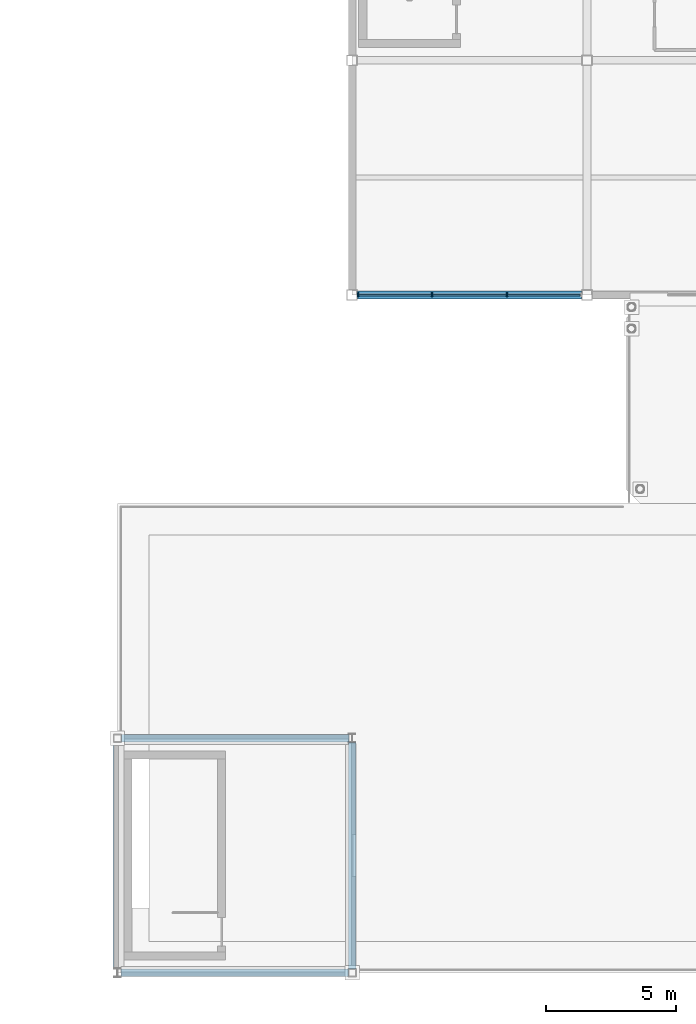
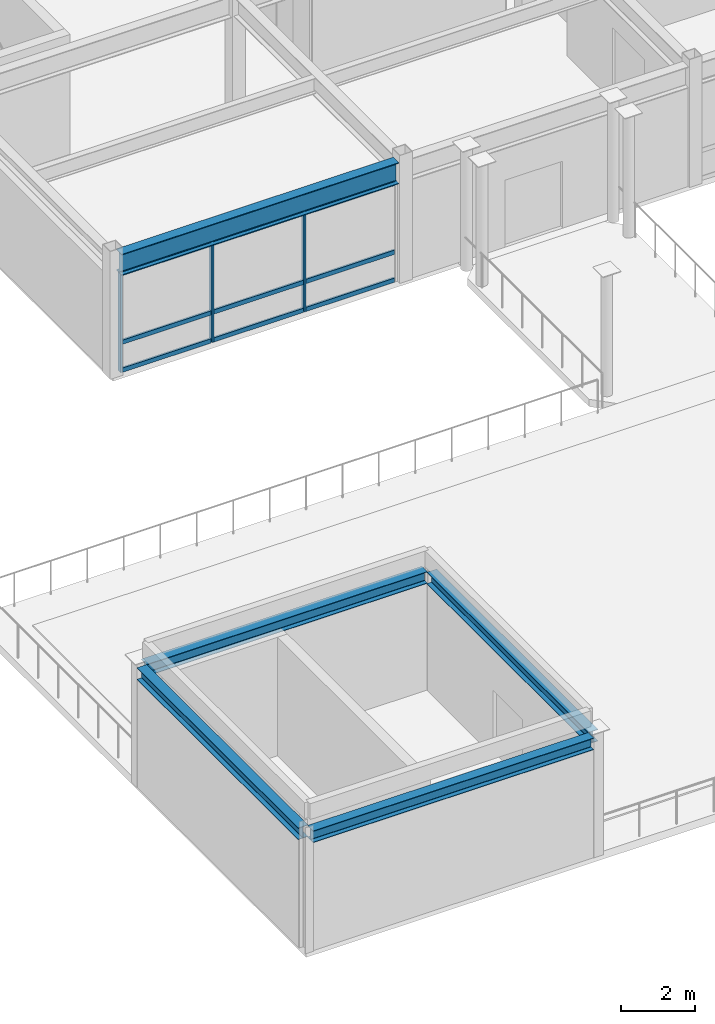
# One storey, part 28 of 53: 12 members, 5 beams, 1 element without a shape of its own.
"""IFC4 building model written with IfcOpenShell, lengths in metres."""

import ifcopenshell
import ifcopenshell.guid

model = None  # the IFC model being written
_history = None  # IfcOwnerHistory: only IFC2X3 demands one
_inside = {}  # id of a spatial element -> (the spatial element, [elements in it])
_under = {}  # id of a project, library or spatial element -> (it, [spatial elements below it])
_declared = {}  # id of a project -> (the project, [libraries it declares])
_typed = {}  # id of a type object -> (the type object, [elements of that type])
_made_of = {}  # id of a material, layer set ... -> (it, [elements and type objects made of it])


def new_model(schema):
    """Start an empty IFC model of exactly this schema.

    Asked for "IFC4X3", IfcOpenShell would pick the latest addendum, in which some entities
    have other attributes; the version numbers below select the first issue.
    IFC2X3 requires an IfcOwnerHistory on every rooted entity: one is made here for all.
    """
    global model, _history
    if schema == "IFC4X3":
        model = ifcopenshell.file(schema_version=(4, 3, 0, 0))
    else:
        model = ifcopenshell.file(schema=schema)
    _inside.clear()
    _under.clear()
    _declared.clear()
    _typed.clear()
    _made_of.clear()
    _history = None
    if model.schema == "IFC2X3":
        org = make("IfcOrganization", Name="unknown")
        user = make(
            "IfcPersonAndOrganization",
            ThePerson=make("IfcPerson", FamilyName="unknown"),
            TheOrganization=org,
        )
        app = make(
            "IfcApplication",
            ApplicationDeveloper=org,
            Version="unknown",
            ApplicationFullName="unknown",
            ApplicationIdentifier="unknown",
        )
        _history = make(
            "IfcOwnerHistory",
            OwningUser=user,
            OwningApplication=app,
            ChangeAction="ADDED",
            CreationDate=0,
        )
    return model


def make(cls, **values):
    """One entity of the class cls with the attributes given. An attribute that is None is left unset."""
    return model.create_entity(
        cls, **{name: value for name, value in values.items() if value is not None}
    )


def rooted(cls, **values):
    """An entity with a GlobalId (a new one), such as an element, a storey or a relation."""
    return make(cls, GlobalId=ifcopenshell.guid.new(), OwnerHistory=_history, **values)


def si_unit(unit_type, name, prefix=None):
    """IfcSIUnit, for example si_unit("LENGTHUNIT", "METRE", prefix="MILLI")."""
    return make("IfcSIUnit", UnitType=unit_type, Prefix=prefix, Name=name)


def assignment(units):
    """IfcUnitAssignment: the units of a project."""
    return None if units is None else make("IfcUnitAssignment", Units=units)


def point(xyz):
    """IfcCartesianPoint."""
    return None if xyz is None else make("IfcCartesianPoint", Coordinates=xyz)


def direction(xyz):
    """IfcDirection."""
    return None if xyz is None else make("IfcDirection", DirectionRatios=xyz)


def frame(location, z_axis=None, x_axis=None):
    """IfcAxis2Placement3D, a coordinate frame: its origin and axes. An axis left out is left unset."""
    return make(
        "IfcAxis2Placement3D",
        Location=point(location),
        Axis=direction(z_axis),
        RefDirection=direction(x_axis),
    )


def frame_2d(location, x_axis=None):
    """IfcAxis2Placement2D, a coordinate frame in the plane: its origin and x axis."""
    return make(
        "IfcAxis2Placement2D", Location=point(location), RefDirection=direction(x_axis)
    )


def origin():
    """The frame at (0, 0, 0) with its axes left unset."""
    return frame((0.0, 0.0, 0.0))


def origin_2d():
    """The frame at (0, 0) in the plane with its x axis left unset."""
    return frame_2d((0.0, 0.0))


def place(relative_to, where):
    """IfcLocalPlacement: puts the frame where relative to a parent placement (None: the world)."""
    return make(
        "IfcLocalPlacement", PlacementRelTo=relative_to, RelativePlacement=where
    )


def context(
    kind, dimensions, precision=None, world=None, true_north=None, identifier=None
):
    """IfcGeometricRepresentationContext, for example the 3D "Model" context."""
    return make(
        "IfcGeometricRepresentationContext",
        ContextIdentifier=identifier,
        ContextType=kind,
        CoordinateSpaceDimension=dimensions,
        Precision=precision,
        WorldCoordinateSystem=world,
        TrueNorth=true_north,
    )


def subcontext(parent, identifier, kind, view, scale=None):
    """IfcGeometricRepresentationSubContext, for example "Body" below "Model"."""
    return make(
        "IfcGeometricRepresentationSubContext",
        ContextIdentifier=identifier,
        ContextType=kind,
        ParentContext=parent,
        TargetScale=scale,
        TargetView=view,
    )


def project(units=None, contexts=None):
    """IfcProject with its units and contexts."""
    return rooted(
        "IfcProject",
        Name="project",
        RepresentationContexts=contexts,
        UnitsInContext=assignment(units),
    )


def spatial(cls, under=None, at=None, **own):
    """A site, building, storey or space (cls), placed at a placement, below another one or the project."""
    s = rooted(cls, ObjectPlacement=at, **own)
    if under is not None:
        _under.setdefault(under.id(), (under, []))[1].append(s)
    return s


def profile(cls, at=None, kind="AREA", **sizes):
    """A parametric profile (cls). Its sizes go by their IFC names, for example OverallWidth=200.0."""
    return make(cls, ProfileType=kind, Position=at, **sizes)


def rectangle(**sizes):
    """IfcRectangleProfileDef."""
    return profile("IfcRectangleProfileDef", **sizes)


def i_section(**sizes):
    """IfcIShapeProfileDef."""
    return profile("IfcIShapeProfileDef", **sizes)


def extrude(swept, where, along, depth):
    """IfcExtrudedAreaSolid: the profile swept, set in the frame where, extruded along a direction by depth."""
    return make(
        "IfcExtrudedAreaSolid",
        SweptArea=swept,
        Position=where,
        ExtrudedDirection=direction(along),
        Depth=depth,
    )


def shape(context_of_items, identifier, shape_type, items):
    """IfcShapeRepresentation: the items that make up one representation, for example the "Body"."""
    return make(
        "IfcShapeRepresentation",
        ContextOfItems=context_of_items,
        RepresentationIdentifier=identifier,
        RepresentationType=shape_type,
        Items=items,
    )


def material(Name=None, Category=None):
    """IfcMaterial."""
    return make("IfcMaterial", Name=Name, Category=Category)


def material_profile(
    of_material, cross_section, Name=None, Category=None, Priority=None
):
    """IfcMaterialProfile: a cross section and its material."""
    return make(
        "IfcMaterialProfile",
        Name=Name,
        Material=of_material,
        Profile=cross_section,
        Priority=Priority,
        Category=Category,
    )


def profile_set(profiles, Name=None, composite=None):
    """IfcMaterialProfileSet."""
    return make(
        "IfcMaterialProfileSet",
        Name=Name,
        MaterialProfiles=profiles,
        CompositeProfile=composite,
    )


def made_of(thing, what):
    """Note that an element or type object is made of a material, layer set ...; save() writes the relation."""
    if what is not None:
        _made_of.setdefault(what.id(), (what, []))[1].append(thing)
    return thing


def type_object(cls, material=None, **own):
    """A type object (cls), such as IfcWallType, which elements share."""
    return made_of(rooted(cls, **own), material)


def element(
    cls,
    number,
    at=None,
    inside=None,
    cuts=None,
    type_object=None,
    material=None,
    context=None,
    identifier="Body",
    shape_type=None,
    held_by="IfcProductDefinitionShape",
    body=None,
    shapes=None,
    **own,
):
    """One element of the class cls, such as IfcWall. Its Tag is "e" and its number.

    at: its placement. inside: the storey or other place that contains it. cuts: it is an
    opening in that element (IfcRelVoidsElement). A single representation is given by context,
    identifier, shape_type and body (its items); several are given by shapes. held_by: the class
    of the entity that holds the representations. save() writes the other relations.
    """
    e = rooted(cls, Tag="e%d" % number, ObjectPlacement=at, **own)
    if body is not None:
        shapes = [shape(context, identifier, shape_type, body)]
    if shapes is not None:
        e.Representation = make(held_by, Representations=shapes)
    if inside is not None:
        _inside.setdefault(inside.id(), (inside, []))[1].append(e)
    if cuts is not None:
        rooted(
            "IfcRelVoidsElement", RelatingBuildingElement=cuts, RelatedOpeningElement=e
        )
    if type_object is not None:
        _typed.setdefault(type_object.id(), (type_object, []))[1].append(e)
    return made_of(e, material)


def aggregate(whole, parts):
    """IfcRelAggregates: a whole, such as a stair, and the parts it consists of."""
    return rooted("IfcRelAggregates", RelatingObject=whole, RelatedObjects=parts)


def save(model, path):
    """Write the relations noted so far, then the file.

    IfcRelAggregates (storeys below a building ...), IfcRelContainedInSpatialStructure (elements
    in a storey), IfcRelDefinesByType, IfcRelAssociatesMaterial and IfcRelDeclares: one each for
    every whole, place, type object, material and project.
    """
    for whole, parts in _under.values():
        aggregate(whole, parts)
    for where, things in _inside.values():
        rooted(
            "IfcRelContainedInSpatialStructure",
            RelatedElements=things,
            RelatingStructure=where,
        )
    for kind, things in _typed.values():
        rooted("IfcRelDefinesByType", RelatedObjects=things, RelatingType=kind)
    for what, things in _made_of.values():
        rooted("IfcRelAssociatesMaterial", RelatedObjects=things, RelatingMaterial=what)
    for by, libraries in _declared.values():
        rooted("IfcRelDeclares", RelatingContext=by, RelatedDefinitions=libraries)
    model.write(path)


model = new_model("IFC4")

# Units and contexts
model_context = context("Model", 3, precision=1e-05, world=origin(), true_north=direction((0.0, 1.0)))
body_context = subcontext(model_context, "Body", "Model", "MODEL_VIEW")
ifc_project = project(units=[si_unit("LENGTHUNIT", "METRE"), si_unit("AREAUNIT", "SQUARE_METRE"), si_unit("VOLUMEUNIT", "CUBIC_METRE"), si_unit("PLANEANGLEUNIT", "RADIAN"), si_unit("MASSUNIT", "GRAM", prefix="KILO")], contexts=[model_context])

# Site, building, storey
site_placement = place(None, origin())
site = spatial("IfcSite", under=ifc_project, at=site_placement, CompositionType="ELEMENT")
building_placement = place(site_placement, origin())
building = spatial("IfcBuilding", under=site, at=building_placement, Name="Suzunagisa Mobility Hub", CompositionType="ELEMENT")
storey_placement = place(building_placement, frame((0.0, 0.0, 17.699951171875)))
storey = spatial("IfcBuildingStorey", under=building, at=storey_placement, Name="L04", CompositionType="ELEMENT", Elevation=17.699951171875)

# Curtain wall, members
ifc_material_1 = material(Name="Thermally Broken Anodized Aluminum and Low-E Glazing", Category="aluminium")
curtain_wall_type = type_object("IfcCurtainWallType", Name="Unitised Curtain Wall CW-18 8500x3200", PredefinedType="USERDEFINED", material=ifc_material_1)
curtain_wall_placement = place(storey_placement, origin())
curtain_wall = element("IfcCurtainWall", 1, at=curtain_wall_placement, inside=storey, type_object=curtain_wall_type, Name="L04 Unitised Curtain Wall CW-214", ObjectType="UNITISED CURTAIN WALL", PredefinedType="USERDEFINED")
ifc_material_2 = material(Name="Anodized Aluminum 6063-T6", Category="aluminium")
ifc_material_profile_1 = material_profile(ifc_material_2, rectangle(XDim=0.06494140625, YDim=0.139892578125, at=origin_2d()), Name="TRAN-65x140")
ifc_profile_set_1 = profile_set([ifc_material_profile_1], Name="Anodized Aluminum 6063-T6")
member_type_1 = type_object("IfcMemberType", Name="Curtain Wall Framing CM-01 TRAN-65x140", PredefinedType="USERDEFINED", material=ifc_profile_set_1)
member_1_placement = place(storey_placement, frame((144.258056640625, 44.0, 0.032470703125), z_axis=(1.0, 0.0, 0.0), x_axis=(0.0, 1.0, 0.0)))
member_1 = element("IfcMember", 2, at=member_1_placement, type_object=member_type_1, Name="Curtain Wall Transom 214-T1.1", ObjectType="TRANSOM", PredefinedType="USERDEFINED", context=body_context, shape_type="SweptSolid", body=[
    extrude(rectangle(XDim=0.06494140625, YDim=0.139892578125, at=origin_2d()), origin(), (0.0, 0.0, 1.0), 2.78076171875),
])
member_2_placement = place(storey_placement, frame((144.258056640625, 44.0, 0.949951171875), z_axis=(1.0, 0.0, 0.0), x_axis=(0.0, 1.0, 0.0)))
member_2 = element("IfcMember", 3, at=member_2_placement, type_object=member_type_1, Name="Curtain Wall Transom 214-T1.2", ObjectType="TRANSOM", PredefinedType="USERDEFINED", context=body_context, shape_type="SweptSolid", body=[
    extrude(rectangle(XDim=0.06494140625, YDim=0.139892578125, at=origin_2d()), origin(), (0.0, 0.0, 1.0), 2.78076171875),
])
member_3_placement = place(storey_placement, frame((144.258056640625, 44.0, 3.20751953125), z_axis=(1.0, 0.0, 0.0), x_axis=(0.0, 1.0, 0.0)))
member_3 = element("IfcMember", 4, at=member_3_placement, type_object=member_type_1, Name="Curtain Wall Transom 214-T1.3", ObjectType="TRANSOM", PredefinedType="USERDEFINED", context=body_context, shape_type="SweptSolid", body=[
    extrude(rectangle(XDim=0.06494140625, YDim=0.139892578125, at=origin_2d()), origin(), (0.0, 0.0, 1.0), 2.78076171875),
])
member_4_placement = place(storey_placement, frame((147.0947265625, 44.0, 0.032470703125), z_axis=(1.0, 0.0, 0.0), x_axis=(0.0, 1.0, 0.0)))
member_4 = element("IfcMember", 5, at=member_4_placement, type_object=member_type_1, Name="Curtain Wall Transom 214-T2.1", ObjectType="TRANSOM", PredefinedType="USERDEFINED", context=body_context, shape_type="SweptSolid", body=[
    extrude(rectangle(XDim=0.06494140625, YDim=0.139892578125, at=origin_2d()), origin(), (0.0, 0.0, 1.0), 2.810546875),
])
member_5_placement = place(storey_placement, frame((147.0947265625, 44.0, 0.949951171875), z_axis=(1.0, 0.0, 0.0), x_axis=(0.0, 1.0, 0.0)))
member_5 = element("IfcMember", 6, at=member_5_placement, type_object=member_type_1, Name="Curtain Wall Transom 214-T2.2", ObjectType="TRANSOM", PredefinedType="USERDEFINED", context=body_context, shape_type="SweptSolid", body=[
    extrude(rectangle(XDim=0.06494140625, YDim=0.139892578125, at=origin_2d()), origin(), (0.0, 0.0, 1.0), 2.810546875),
])
member_6_placement = place(storey_placement, frame((147.0947265625, 44.0, 3.20751953125), z_axis=(1.0, 0.0, 0.0), x_axis=(0.0, 1.0, 0.0)))
member_6 = element("IfcMember", 7, at=member_6_placement, type_object=member_type_1, Name="Curtain Wall Transom 214-T2.3", ObjectType="TRANSOM", PredefinedType="USERDEFINED", context=body_context, shape_type="SweptSolid", body=[
    extrude(rectangle(XDim=0.06494140625, YDim=0.139892578125, at=origin_2d()), origin(), (0.0, 0.0, 1.0), 2.810546875),
])
member_7_placement = place(storey_placement, frame((149.961181640625, 44.0, 0.032470703125), z_axis=(1.0, 0.0, 0.0), x_axis=(0.0, 1.0, 0.0)))
member_7 = element("IfcMember", 8, at=member_7_placement, type_object=member_type_1, Name="Curtain Wall Transom 214-T3.1", ObjectType="TRANSOM", PredefinedType="USERDEFINED", context=body_context, shape_type="SweptSolid", body=[
    extrude(rectangle(XDim=0.06494140625, YDim=0.139892578125, at=origin_2d()), origin(), (0.0, 0.0, 1.0), 2.78076171875),
])
member_8_placement = place(storey_placement, frame((149.961181640625, 44.0, 0.949951171875), z_axis=(1.0, 0.0, 0.0), x_axis=(0.0, 1.0, 0.0)))
member_8 = element("IfcMember", 9, at=member_8_placement, type_object=member_type_1, Name="Curtain Wall Transom 214-T3.2", ObjectType="TRANSOM", PredefinedType="USERDEFINED", context=body_context, shape_type="SweptSolid", body=[
    extrude(rectangle(XDim=0.06494140625, YDim=0.139892578125, at=origin_2d()), origin(), (0.0, 0.0, 1.0), 2.78076171875),
])
member_9_placement = place(storey_placement, frame((149.961181640625, 44.0, 3.20751953125), z_axis=(1.0, 0.0, 0.0), x_axis=(0.0, 1.0, 0.0)))
member_9 = element("IfcMember", 10, at=member_9_placement, type_object=member_type_1, Name="Curtain Wall Transom 214-T3.3", ObjectType="TRANSOM", PredefinedType="USERDEFINED", context=body_context, shape_type="SweptSolid", body=[
    extrude(rectangle(XDim=0.06494140625, YDim=0.139892578125, at=origin_2d()), origin(), (0.0, 0.0, 1.0), 2.78076171875),
])
ifc_material_profile_2 = material_profile(ifc_material_2, rectangle(XDim=0.06005859375, YDim=0.14990234375, at=origin_2d()), Name="MULL-60x150")
ifc_profile_set_2 = profile_set([ifc_material_profile_2], Name="Anodized Aluminum 6063-T6")
member_type_2 = type_object("IfcMemberType", Name="Curtain Wall Framing CM-03 MULL-60x150", PredefinedType="MULLION", material=ifc_profile_set_2)
member_10_placement = place(storey_placement, frame((144.22998046875, 44.0, 0.0), z_axis=(0.0, 0.0, 1.0), x_axis=(1.0, 0.0, 0.0)))
member_10 = element("IfcMember", 11, at=member_10_placement, type_object=member_type_2, Name="Curtain Wall Mullion 214-M1", PredefinedType="MULLION", context=body_context, shape_type="SweptSolid", body=[
    extrude(rectangle(XDim=0.06005859375, YDim=0.14990234375, at=origin_2d()), origin(), (0.0, 0.0, 1.0), 3.239990234375),
])
member_11_placement = place(storey_placement, frame((147.066650390625, 44.0, 0.0), z_axis=(0.0, 0.0, 1.0), x_axis=(1.0, 0.0, 0.0)))
member_11 = element("IfcMember", 12, at=member_11_placement, type_object=member_type_2, Name="Curtain Wall Mullion 214-M2", PredefinedType="MULLION", context=body_context, shape_type="SweptSolid", body=[
    extrude(rectangle(XDim=0.06005859375, YDim=0.14990234375, at=origin_2d()), origin(), (0.0, 0.0, 1.0), 3.239990234375),
])
member_12_placement = place(storey_placement, frame((149.933349609375, 44.0, 0.0), z_axis=(0.0, 0.0, 1.0), x_axis=(1.0, 0.0, 0.0)))
member_12 = element("IfcMember", 13, at=member_12_placement, type_object=member_type_2, Name="Curtain Wall Mullion 214-M3", PredefinedType="MULLION", context=body_context, shape_type="SweptSolid", body=[
    extrude(rectangle(XDim=0.06005859375, YDim=0.14990234375, at=origin_2d()), origin(), (0.0, 0.0, 1.0), 3.239990234375),
])
aggregate(curtain_wall, [member_10, member_11, member_12, member_1, member_2, member_3, member_4, member_5, member_6, member_7, member_8, member_9])

# Beams
ifc_material_3 = material(Name="Steel SN490B", Category="steel")
ifc_material_profile_3 = material_profile(ifc_material_3, i_section(OverallWidth=0.300048828125, OverallDepth=0.699951171875, WebThickness=0.012939453125, FlangeThickness=0.02392578125, FilletRadius=0.01806640625, at=origin_2d()), Name="H-700x300x13x24")
ifc_profile_set_3 = profile_set([ifc_material_profile_3], Name="Steel SN490B")
beam_type_1 = type_object("IfcBeamType", Name="Steel Beam BM-11 H-700x300x13x24", PredefinedType="BEAM", material=ifc_profile_set_3)
beam_placement = place(storey_placement, frame((144.196044921875, 44.0, 3.590087890625), z_axis=(1.0, 0.0, 0.0), x_axis=(0.0, 1.0, 0.0)))
element("IfcBeam", 14, at=beam_placement, inside=storey, type_object=beam_type_1, Name="L04 Primary Girder GX-2040", PredefinedType="BEAM", context=body_context, shape_type="SweptSolid", body=[
    extrude(i_section(OverallWidth=0.300048828125, OverallDepth=0.699951171875, WebThickness=0.012939453125, FlangeThickness=0.02392578125, FilletRadius=0.01806640625, at=origin_2d()), origin(), (0.0, 0.0, 1.0), 8.60791015625),
])
ifc_material_profile_4 = material_profile(ifc_material_3, i_section(OverallWidth=0.300048828125, OverallDepth=0.389892578125, WebThickness=0.010009765625, FlangeThickness=0.01611328125, FilletRadius=0.012939453125, at=origin_2d()), Name="H-390x300x10x16")
ifc_profile_set_4 = profile_set([ifc_material_profile_4], Name="Steel SN490B")
beam_type_2 = type_object("IfcBeamType", Name="Steel Beam BM-13 H-390x300x10x16", PredefinedType="SPANDREL", material=ifc_profile_set_4)
for number, where, z_axis, x_axis, name in (
    (15, (135.125, 18.0, 3.7451171875), (1.0, 0.0, 0.0), (0.0, 1.0, 0.0), "L04 Core C7 Penthouse Roof Girder"),
    (16, (135.14990234375, 27.0, 3.7451171875), (1.0, 0.0, 0.0), (0.0, 1.0, 0.0), "L04 Core C7 Penthouse Roof Girder"),
):
    element("IfcBeam", number, at=place(storey_placement, frame(where, z_axis=z_axis, x_axis=x_axis)), inside=storey, type_object=beam_type_2, Name=name, PredefinedType="SPANDREL", context=body_context, shape_type="SweptSolid", body=[
        extrude(i_section(OverallWidth=0.300048828125, OverallDepth=0.389892578125, WebThickness=0.010009765625, FlangeThickness=0.01611328125, FilletRadius=0.012939453125, at=origin_2d()), origin(), (0.0, 0.0, 1.0), 8.72509765625),
    ])
for number, where, z_axis, x_axis, name in (
    (17, (135.0, 18.169921875, 3.7451171875), (0.0, 1.0, 0.0), (-1.0, 0.0, 0.0), "L04 Core C7 Penthouse Roof Girder"),
    (18, (144.0, 18.14990234375, 3.7451171875), (0.0, 1.0, 0.0), (-1.0, 0.0, 0.0), "L04 Core C7 Penthouse Roof Girder"),
):
    element("IfcBeam", number, at=place(storey_placement, frame(where, z_axis=z_axis, x_axis=x_axis)), inside=storey, type_object=beam_type_2, Name=name, PredefinedType="SPANDREL", context=body_context, shape_type="SweptSolid", body=[
        extrude(i_section(OverallWidth=0.300048828125, OverallDepth=0.389892578125, WebThickness=0.010009765625, FlangeThickness=0.01611328125, FilletRadius=0.012939453125, at=origin_2d()), origin(), (0.0, 0.0, 1.0), 8.68017578125),
    ])

save(model, "model.ifc")
